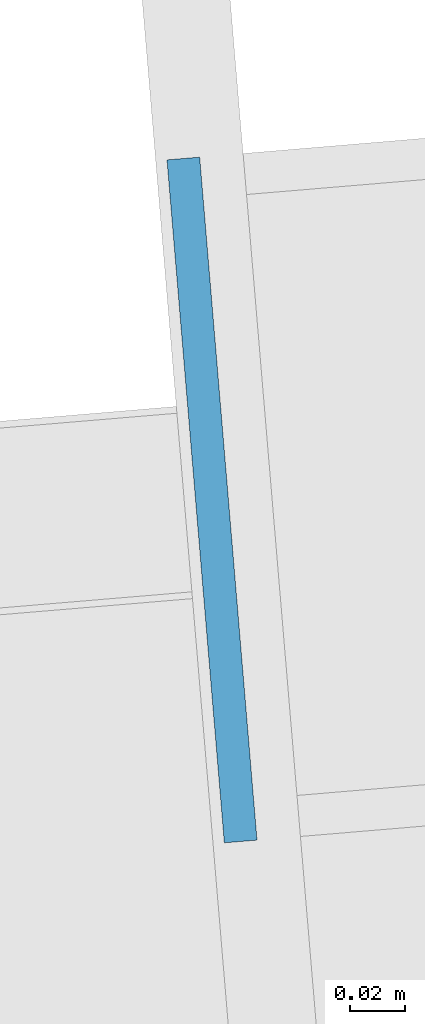
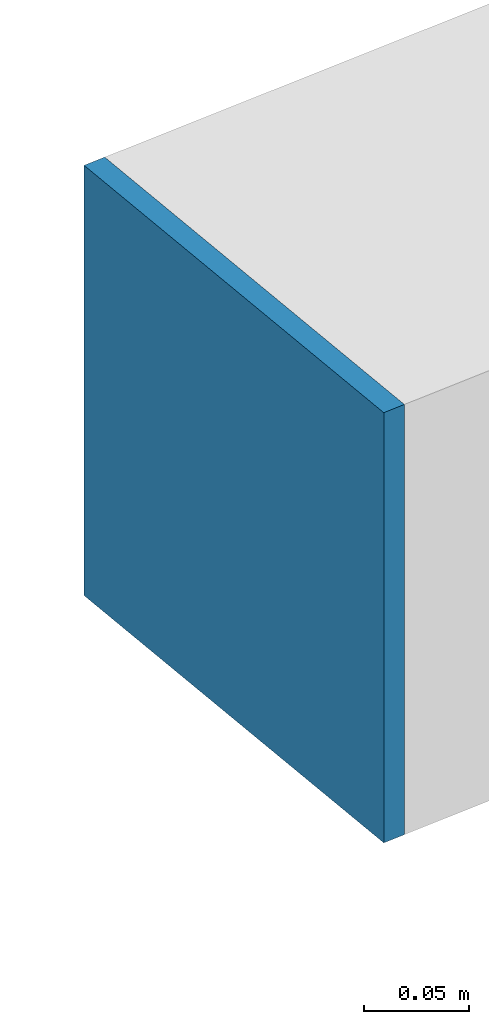
# One storey, part 29 of 37: 1 plate.
"""IFC4 building model written with IfcOpenShell, lengths in metres."""

import ifcopenshell
import ifcopenshell.guid

model = None  # the IFC model being written
_history = None  # IfcOwnerHistory: only IFC2X3 demands one
_inside = {}  # id of a spatial element -> (the spatial element, [elements in it])
_under = {}  # id of a project, library or spatial element -> (it, [spatial elements below it])
_declared = {}  # id of a project -> (the project, [libraries it declares])
_typed = {}  # id of a type object -> (the type object, [elements of that type])
_made_of = {}  # id of a material, layer set ... -> (it, [elements and type objects made of it])


def new_model(schema):
    """Start an empty IFC model of exactly this schema.

    Asked for "IFC4X3", IfcOpenShell would pick the latest addendum, in which some entities
    have other attributes; the version numbers below select the first issue.
    IFC2X3 requires an IfcOwnerHistory on every rooted entity: one is made here for all.
    """
    global model, _history
    if schema == "IFC4X3":
        model = ifcopenshell.file(schema_version=(4, 3, 0, 0))
    else:
        model = ifcopenshell.file(schema=schema)
    _inside.clear()
    _under.clear()
    _declared.clear()
    _typed.clear()
    _made_of.clear()
    _history = None
    if model.schema == "IFC2X3":
        org = make("IfcOrganization", Name="unknown")
        user = make(
            "IfcPersonAndOrganization",
            ThePerson=make("IfcPerson", FamilyName="unknown"),
            TheOrganization=org,
        )
        app = make(
            "IfcApplication",
            ApplicationDeveloper=org,
            Version="unknown",
            ApplicationFullName="unknown",
            ApplicationIdentifier="unknown",
        )
        _history = make(
            "IfcOwnerHistory",
            OwningUser=user,
            OwningApplication=app,
            ChangeAction="ADDED",
            CreationDate=0,
        )
    return model


def make(cls, **values):
    """One entity of the class cls with the attributes given. An attribute that is None is left unset."""
    return model.create_entity(
        cls, **{name: value for name, value in values.items() if value is not None}
    )


def rooted(cls, **values):
    """An entity with a GlobalId (a new one), such as an element, a storey or a relation."""
    return make(cls, GlobalId=ifcopenshell.guid.new(), OwnerHistory=_history, **values)


def si_unit(unit_type, name, prefix=None):
    """IfcSIUnit, for example si_unit("LENGTHUNIT", "METRE", prefix="MILLI")."""
    return make("IfcSIUnit", UnitType=unit_type, Prefix=prefix, Name=name)


def assignment(units):
    """IfcUnitAssignment: the units of a project."""
    return None if units is None else make("IfcUnitAssignment", Units=units)


def point(xyz):
    """IfcCartesianPoint."""
    return None if xyz is None else make("IfcCartesianPoint", Coordinates=xyz)


def direction(xyz):
    """IfcDirection."""
    return None if xyz is None else make("IfcDirection", DirectionRatios=xyz)


def frame(location, z_axis=None, x_axis=None):
    """IfcAxis2Placement3D, a coordinate frame: its origin and axes. An axis left out is left unset."""
    return make(
        "IfcAxis2Placement3D",
        Location=point(location),
        Axis=direction(z_axis),
        RefDirection=direction(x_axis),
    )


def frame_2d(location, x_axis=None):
    """IfcAxis2Placement2D, a coordinate frame in the plane: its origin and x axis."""
    return make(
        "IfcAxis2Placement2D", Location=point(location), RefDirection=direction(x_axis)
    )


def origin():
    """The frame at (0, 0, 0) with its axes left unset."""
    return frame((0.0, 0.0, 0.0))


def origin_2d():
    """The frame at (0, 0) in the plane with its x axis left unset."""
    return frame_2d((0.0, 0.0))


def place(relative_to, where):
    """IfcLocalPlacement: puts the frame where relative to a parent placement (None: the world)."""
    return make(
        "IfcLocalPlacement", PlacementRelTo=relative_to, RelativePlacement=where
    )


def context(
    kind, dimensions, precision=None, world=None, true_north=None, identifier=None
):
    """IfcGeometricRepresentationContext, for example the 3D "Model" context."""
    return make(
        "IfcGeometricRepresentationContext",
        ContextIdentifier=identifier,
        ContextType=kind,
        CoordinateSpaceDimension=dimensions,
        Precision=precision,
        WorldCoordinateSystem=world,
        TrueNorth=true_north,
    )


def subcontext(parent, identifier, kind, view, scale=None):
    """IfcGeometricRepresentationSubContext, for example "Body" below "Model"."""
    return make(
        "IfcGeometricRepresentationSubContext",
        ContextIdentifier=identifier,
        ContextType=kind,
        ParentContext=parent,
        TargetScale=scale,
        TargetView=view,
    )


def project(units=None, contexts=None):
    """IfcProject with its units and contexts."""
    return rooted(
        "IfcProject",
        Name="project",
        RepresentationContexts=contexts,
        UnitsInContext=assignment(units),
    )


def spatial(cls, under=None, at=None, **own):
    """A site, building, storey or space (cls), placed at a placement, below another one or the project."""
    s = rooted(cls, ObjectPlacement=at, **own)
    if under is not None:
        _under.setdefault(under.id(), (under, []))[1].append(s)
    return s


def profile(cls, at=None, kind="AREA", **sizes):
    """A parametric profile (cls). Its sizes go by their IFC names, for example OverallWidth=200.0."""
    return make(cls, ProfileType=kind, Position=at, **sizes)


def rectangle(**sizes):
    """IfcRectangleProfileDef."""
    return profile("IfcRectangleProfileDef", **sizes)


def extrude(swept, where, along, depth):
    """IfcExtrudedAreaSolid: the profile swept, set in the frame where, extruded along a direction by depth."""
    return make(
        "IfcExtrudedAreaSolid",
        SweptArea=swept,
        Position=where,
        ExtrudedDirection=direction(along),
        Depth=depth,
    )


def shape(context_of_items, identifier, shape_type, items):
    """IfcShapeRepresentation: the items that make up one representation, for example the "Body"."""
    return make(
        "IfcShapeRepresentation",
        ContextOfItems=context_of_items,
        RepresentationIdentifier=identifier,
        RepresentationType=shape_type,
        Items=items,
    )


def source(mapping_origin, context_of_items, identifier, shape_type, items):
    """IfcRepresentationMap: a shape defined once, which mapped items show again and again."""
    return make(
        "IfcRepresentationMap",
        MappingOrigin=mapping_origin,
        MappedRepresentation=shape(context_of_items, identifier, shape_type, items),
    )


def transform(
    local_origin,
    x_axis=None,
    y_axis=None,
    z_axis=None,
    scale=None,
    scale2=None,
    scale3=None,
    uniform=True,
):
    """IfcCartesianTransformationOperator3D, or its non-uniform kind. x_axis, y_axis, z_axis: its Axis1, 2, 3."""
    if uniform:
        return make(
            "IfcCartesianTransformationOperator3D",
            Axis1=direction(x_axis),
            Axis2=direction(y_axis),
            LocalOrigin=point(local_origin),
            Scale=scale,
            Axis3=direction(z_axis),
        )
    return make(
        "IfcCartesianTransformationOperator3DnonUniform",
        Axis1=direction(x_axis),
        Axis2=direction(y_axis),
        LocalOrigin=point(local_origin),
        Scale=scale,
        Axis3=direction(z_axis),
        Scale2=scale2,
        Scale3=scale3,
    )


def mapped(mapping_source, mapping_target):
    """IfcMappedItem: shows the shape of a source again, moved by a transform."""
    return make(
        "IfcMappedItem", MappingSource=mapping_source, MappingTarget=mapping_target
    )


def material(Name=None, Category=None):
    """IfcMaterial."""
    return make("IfcMaterial", Name=Name, Category=Category)


def layer(
    of_material, thickness, ventilated=None, Name=None, Category=None, Priority=None
):
    """IfcMaterialLayer: one layer of a wall or slab, of a material (None: an air gap)."""
    return make(
        "IfcMaterialLayer",
        Material=of_material,
        LayerThickness=thickness,
        IsVentilated=ventilated,
        Name=Name,
        Category=Category,
        Priority=Priority,
    )


def layer_set(layers, Name=None):
    """IfcMaterialLayerSet."""
    return make("IfcMaterialLayerSet", MaterialLayers=layers, LayerSetName=Name)


def made_of(thing, what):
    """Note that an element or type object is made of a material, layer set ...; save() writes the relation."""
    if what is not None:
        _made_of.setdefault(what.id(), (what, []))[1].append(thing)
    return thing


def type_object(cls, material=None, **own):
    """A type object (cls), such as IfcWallType, which elements share."""
    return made_of(rooted(cls, **own), material)


def element(
    cls,
    number,
    at=None,
    inside=None,
    cuts=None,
    type_object=None,
    material=None,
    context=None,
    identifier="Body",
    shape_type=None,
    held_by="IfcProductDefinitionShape",
    body=None,
    shapes=None,
    **own,
):
    """One element of the class cls, such as IfcWall. Its Tag is "e" and its number.

    at: its placement. inside: the storey or other place that contains it. cuts: it is an
    opening in that element (IfcRelVoidsElement). A single representation is given by context,
    identifier, shape_type and body (its items); several are given by shapes. held_by: the class
    of the entity that holds the representations. save() writes the other relations.
    """
    e = rooted(cls, Tag="e%d" % number, ObjectPlacement=at, **own)
    if body is not None:
        shapes = [shape(context, identifier, shape_type, body)]
    if shapes is not None:
        e.Representation = make(held_by, Representations=shapes)
    if inside is not None:
        _inside.setdefault(inside.id(), (inside, []))[1].append(e)
    if cuts is not None:
        rooted(
            "IfcRelVoidsElement", RelatingBuildingElement=cuts, RelatedOpeningElement=e
        )
    if type_object is not None:
        _typed.setdefault(type_object.id(), (type_object, []))[1].append(e)
    return made_of(e, material)


def aggregate(whole, parts):
    """IfcRelAggregates: a whole, such as a stair, and the parts it consists of."""
    return rooted("IfcRelAggregates", RelatingObject=whole, RelatedObjects=parts)


def save(model, path):
    """Write the relations noted so far, then the file.

    IfcRelAggregates (storeys below a building ...), IfcRelContainedInSpatialStructure (elements
    in a storey), IfcRelDefinesByType, IfcRelAssociatesMaterial and IfcRelDeclares: one each for
    every whole, place, type object, material and project.
    """
    for whole, parts in _under.values():
        aggregate(whole, parts)
    for where, things in _inside.values():
        rooted(
            "IfcRelContainedInSpatialStructure",
            RelatedElements=things,
            RelatingStructure=where,
        )
    for kind, things in _typed.values():
        rooted("IfcRelDefinesByType", RelatedObjects=things, RelatingType=kind)
    for what, things in _made_of.values():
        rooted("IfcRelAssociatesMaterial", RelatedObjects=things, RelatingMaterial=what)
    for by, libraries in _declared.values():
        rooted("IfcRelDeclares", RelatingContext=by, RelatedDefinitions=libraries)
    model.write(path)


model = new_model("IFC4")

# Units and contexts
model_context = context("Model", 3, precision=1e-05, world=origin(), true_north=direction((0.0, 1.0)))
body_context = subcontext(model_context, "Body", "Model", "MODEL_VIEW")
ifc_project = project(units=[si_unit("LENGTHUNIT", "METRE"), si_unit("AREAUNIT", "SQUARE_METRE"), si_unit("VOLUMEUNIT", "CUBIC_METRE"), si_unit("PLANEANGLEUNIT", "RADIAN"), si_unit("MASSUNIT", "GRAM", prefix="KILO")], contexts=[model_context])

# Site, building, storey
site_placement = place(None, origin())
site = spatial("IfcSite", under=ifc_project, at=site_placement, CompositionType="ELEMENT")
building_placement = place(site_placement, origin())
building = spatial("IfcBuilding", under=site, at=building_placement, Name="Taldren Reach Tower", CompositionType="ELEMENT")
storey_placement = place(building_placement, frame((0.0, 0.0, 182.0)))
storey = spatial("IfcBuildingStorey", under=building, at=storey_placement, Name="L55", CompositionType="ELEMENT", Elevation=182.0)

# Plate
ifc_material = material(Name="Steel Gr 350 (C350L0)", Category="steel")
ifc_layer = layer(ifc_material, 0.011962890625)
ifc_layer_set = layer_set([ifc_layer], Name="Steel Gr 350 (C350L0)")
plate_type = type_object("IfcPlateType", Name="PL-CAP-250", PredefinedType="SHEET", material=ifc_layer_set)
shared_shape = source(origin(), body_context, "Body", "SweptSolid", [
    extrude(rectangle(XDim=0.011962890625, YDim=0.25, at=origin_2d()), origin(), (0.0, 0.0, 1.0), 0.25),
])
plate_placement = place(storey_placement, frame((11.011474609375, 29.55224609375, 0.094970703125), z_axis=(0.0, 0.0, 1.0), x_axis=(0.99649285925, 0.083677843332, 0.0)))
element("IfcPlate", 1, at=plate_placement, inside=storey, type_object=plate_type, Name="Tie strut end cap plate B4-W3 L55", PredefinedType="SHEET", context=body_context, shape_type="MappedRepresentation", body=[
    mapped(shared_shape, transform((0.0, 0.0, 0.0), scale=1.0)),
])

save(model, "model.ifc")
